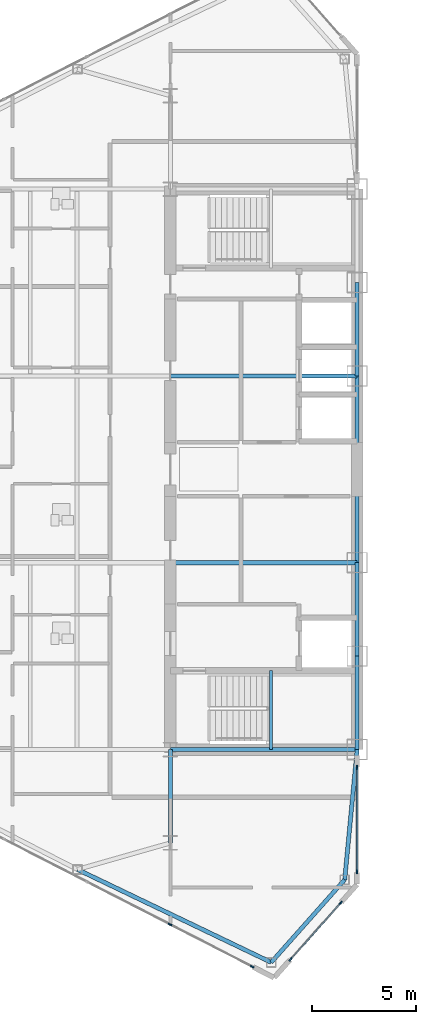
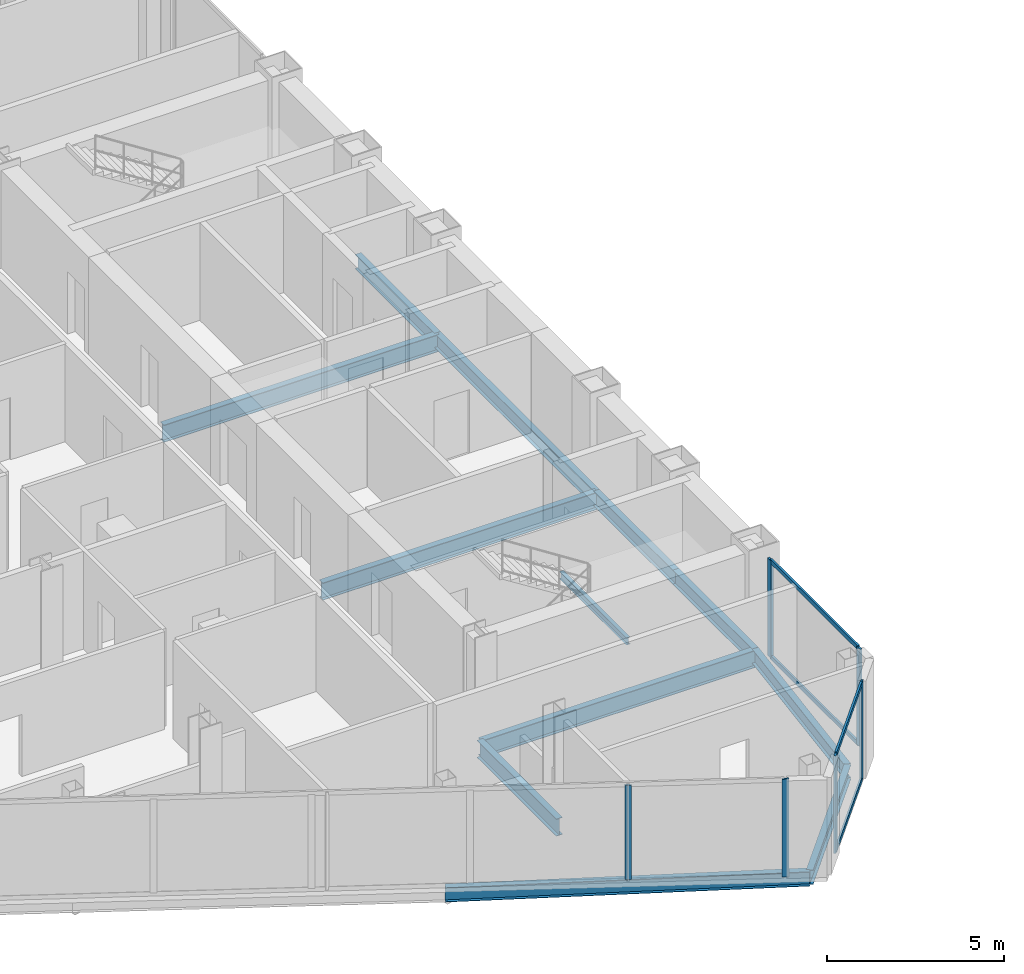
# One storey, part 5 of 23: 12 beams, 10 members, 3 elements without a shape of their own.
"""IFC4 building model written with IfcOpenShell, lengths in metres."""

from ifc_helpers import new_model, si_unit, direction, frame, origin, origin_2d, place, context, subcontext, project, spatial, rectangle, i_section, extrude, source, transform, mapped, material, layer, layer_set, material_profile, profile_set, type_object, type_shapes, element, aggregate, save


model = new_model("IFC4")

# Units and contexts
model_context = context("Model", 3, precision=1e-05, world=origin(), true_north=direction((0.0, 1.0)))
body_context = subcontext(model_context, "Body", "Model", "MODEL_VIEW")
ifc_project = project(units=[si_unit("LENGTHUNIT", "METRE"), si_unit("AREAUNIT", "SQUARE_METRE"), si_unit("VOLUMEUNIT", "CUBIC_METRE"), si_unit("PLANEANGLEUNIT", "RADIAN"), si_unit("MASSUNIT", "GRAM", prefix="KILO")], contexts=[model_context])

# Site, building, storey
site_placement = place(None, origin())
site = spatial("IfcSite", under=ifc_project, at=site_placement, CompositionType="ELEMENT")
building_placement = place(site_placement, origin())
building = spatial("IfcBuilding", under=site, at=building_placement, Name="Seokmaru Belvedere", CompositionType="ELEMENT")
storey_placement = place(building_placement, frame((0.0, 0.0, 154.800048828125)))
storey = spatial("IfcBuildingStorey", under=building, at=storey_placement, Name="L41", CompositionType="ELEMENT", Elevation=154.800048828125)

# Beams
ifc_material_1 = material(Name="Steel SM355 (355 MPa)", Category="steel")
ifc_material_profile_1 = material_profile(ifc_material_1, i_section(OverallWidth=0.199951171875, OverallDepth=0.5, WebThickness=0.010009765625, FlangeThickness=0.01611328125, at=origin_2d()), Name="H-500x200x10x16")
ifc_profile_set_1 = profile_set([ifc_material_profile_1], Name="Steel SM355 (355 MPa)")
beam_type_1 = type_object("IfcBeamType", Name="Perimeter Spandrel Beam H-500", PredefinedType="SPANDREL", material=ifc_profile_set_1)
shared_shape_1 = source(origin(), body_context, "Body", "SweptSolid", [
    extrude(i_section(OverallWidth=0.199951171875, OverallDepth=0.5, WebThickness=0.010009765625, FlangeThickness=0.01611328125, at=origin_2d()), origin(), (0.0, 0.0, 1.0), 4.5),
])
for number, where, z_axis, x_axis, name in (
    (1, (-27.5, -13.5, -0.469970703125), (0.0, 1.0, 0.0), (-1.0, 0.0, 0.0), "L41 W Portal Spine Spandrel 1"),
    (2, (-27.5, -9.0, -0.469970703125), (0.0, 1.0, 0.0), (-1.0, 0.0, 0.0), "L41 W Portal Spine Spandrel 2"),
    (3, (-27.5, 4.5, -0.469970703125), (0.0, 1.0, 0.0), (-1.0, 0.0, 0.0), "L41 W Portal Spine Spandrel 4"),
):
    element("IfcBeam", number, at=place(storey_placement, frame(where, z_axis=z_axis, x_axis=x_axis)), inside=storey, type_object=beam_type_1, Name=name, PredefinedType="SPANDREL", context=body_context, shape_type="MappedRepresentation", body=[
        mapped(shared_shape_1, transform((0.0, 0.0, 0.0), scale=1.0)),
    ])
shared_shape_2 = source(origin(), body_context, "Body", "SweptSolid", [
    extrude(i_section(OverallWidth=0.199951171875, OverallDepth=0.5, WebThickness=0.010009765625, FlangeThickness=0.01611328125, at=origin_2d()), origin(), (0.0, 0.0, 1.0), 9.0),
])
beam_1_placement = place(storey_placement, frame((-27.5, -4.5, -0.469970703125), z_axis=(0.0, 1.0, 0.0), x_axis=(-1.0, 0.0, 0.0)))
element("IfcBeam", 4, at=beam_1_placement, inside=storey, type_object=beam_type_1, Name="L41 W Portal Spine Spandrel 3", PredefinedType="SPANDREL", context=body_context, shape_type="MappedRepresentation", body=[
    mapped(shared_shape_2, transform((0.0, 0.0, 0.0), scale=1.0)),
])
ifc_material_profile_2 = material_profile(ifc_material_1, i_section(OverallWidth=0.199951171875, OverallDepth=0.60009765625, WebThickness=0.010986328125, FlangeThickness=0.01708984375, at=origin_2d()), Name="H-600x200x11x17")
ifc_profile_set_2 = profile_set([ifc_material_profile_2], Name="Steel SM355 (355 MPa)")
beam_type_2 = type_object("IfcBeamType", Name="Primary Floor Girder H-600", PredefinedType="BEAM", material=ifc_profile_set_2)
shared_shape_3 = source(origin(), body_context, "Body", "SweptSolid", [
    extrude(i_section(OverallWidth=0.199951171875, OverallDepth=0.60009765625, WebThickness=0.010986328125, FlangeThickness=0.01708984375, at=origin_2d()), origin(), (0.0, 0.0, 1.0), 9.0),
])
for number, where, z_axis, x_axis, name in (
    (5, (-36.5, -13.5, -0.52001953125), (1.0, 0.0, 0.0), (0.0, 1.0, 0.0), "L41 W Core Tie Girder 1"),
    (6, (-36.5, -4.5, -0.52001953125), (1.0, 0.0, 0.0), (0.0, 1.0, 0.0), "L41 W Core Tie Girder 2"),
    (7, (-36.5, 4.5, -0.52001953125), (1.0, 0.0, 0.0), (0.0, 1.0, 0.0), "L41 W Core Tie Girder 3"),
):
    element("IfcBeam", number, at=place(storey_placement, frame(where, z_axis=z_axis, x_axis=x_axis)), inside=storey, type_object=beam_type_2, Name=name, PredefinedType="BEAM", context=body_context, shape_type="MappedRepresentation", body=[
        mapped(shared_shape_3, transform((0.0, 0.0, 0.0), scale=1.0)),
    ])
shared_shape_4 = source(origin(), body_context, "Body", "SweptSolid", [
    extrude(i_section(OverallWidth=0.199951171875, OverallDepth=0.60009765625, WebThickness=0.010986328125, FlangeThickness=0.01708984375, at=origin_2d()), origin(), (0.0, 0.0, 1.0), 4.5),
])
type_shapes(beam_type_2, [shared_shape_3, shared_shape_4])
beam_2_placement = place(storey_placement, frame((-36.5, -18.0, -0.52001953125), z_axis=(0.0, 1.0, 0.0), x_axis=(-1.0, 0.0, 0.0)))
element("IfcBeam", 8, at=beam_2_placement, inside=storey, type_object=beam_type_2, Name="L41 W Core Shoulder Girder S", PredefinedType="BEAM", context=body_context, shape_type="MappedRepresentation", body=[
    mapped(shared_shape_4, transform((0.0, 0.0, 0.0), scale=1.0)),
])
shared_shape_5 = source(origin(), body_context, "Body", "SweptSolid", [
    extrude(i_section(OverallWidth=0.199951171875, OverallDepth=0.5, WebThickness=0.010009765625, FlangeThickness=0.01611328125, at=origin_2d()), origin(), (0.0, 0.0, 1.0), 10.353759765625),
])
beam_3_placement = place(storey_placement, frame((-31.6396484375, -23.75390625, -0.469970703125), z_axis=(-0.901713202822, 0.432334708134, 0.0), x_axis=(-0.432334708134, -0.901713202822, 0.0)))
element("IfcBeam", 9, at=beam_3_placement, inside=storey, type_object=beam_type_1, Name="L41 W Faceted Flank Spandrel S-1", PredefinedType="SPANDREL", context=body_context, shape_type="MappedRepresentation", body=[
    mapped(shared_shape_5, transform((0.0, 0.0, 0.0), scale=1.0)),
])
shared_shape_6 = source(origin(), body_context, "Body", "SweptSolid", [
    extrude(i_section(OverallWidth=0.199951171875, OverallDepth=0.5, WebThickness=0.010009765625, FlangeThickness=0.01611328125, at=origin_2d()), origin(), (0.0, 0.0, 1.0), 5.32763671875),
])
beam_4_placement = place(storey_placement, frame((-31.6396484375, -23.75390625, -0.469970703125), z_axis=(0.66436952742, 0.74740426212, 0.0), x_axis=(-0.74740426212, 0.66436952742, 0.0)))
element("IfcBeam", 10, at=beam_4_placement, inside=storey, type_object=beam_type_1, Name="L41 W Shoulder Chamfer Spandrel S", PredefinedType="SPANDREL", context=body_context, shape_type="MappedRepresentation", body=[
    mapped(shared_shape_6, transform((0.0, 0.0, 0.0), scale=1.0)),
])
shared_shape_7 = source(origin(), body_context, "Body", "SweptSolid", [
    extrude(i_section(OverallWidth=0.199951171875, OverallDepth=0.5, WebThickness=0.010009765625, FlangeThickness=0.01611328125, at=origin_2d()), origin(), (0.0, 0.0, 1.0), 6.300537109375),
])
type_shapes(beam_type_1, [shared_shape_1, shared_shape_2, shared_shape_5, shared_shape_6, shared_shape_7])
beam_5_placement = place(storey_placement, frame((-28.10009765625, -19.77197265625, -0.469970703125), z_axis=(0.095244287992, 0.995453929424, 0.0), x_axis=(-0.995453929424, 0.095244287992, 0.0)))
element("IfcBeam", 11, at=beam_5_placement, inside=storey, type_object=beam_type_1, Name="L41 W Shoulder Spine Spandrel S", PredefinedType="SPANDREL", context=body_context, shape_type="MappedRepresentation", body=[
    mapped(shared_shape_7, transform((0.0, 0.0, 0.0), scale=1.0)),
])

# Curtain wall, members
ifc_material_2 = material(Name="Bronze Triple Insulating Glass", Category="glass")
ifc_layer = layer(ifc_material_2, 0.195068359375)
ifc_layer_set = layer_set([ifc_layer], Name="Bronze Triple Insulating Glass")
curtain_wall_type = type_object("IfcCurtainWallType", Name="Sky-Lobby and Mid-Rise Curtain Wall System CW-4", PredefinedType="NOTDEFINED", material=ifc_layer_set)
curtain_wall_1_placement = place(storey_placement, origin())
curtain_wall_1 = element("IfcCurtainWall", 12, at=curtain_wall_1_placement, inside=storey, type_object=curtain_wall_type, Name="L41 Curtain Wall WSP_1", PredefinedType="NOTDEFINED")
ifc_material_3 = material(Name="Anodised Bronze Aluminium", Category="aluminium")
ifc_material_profile_3 = material_profile(ifc_material_3, rectangle(XDim=0.070068359375, YDim=0.195068359375, at=origin_2d()), Name="CW-M-70x195")
ifc_profile_set_3 = profile_set([ifc_material_profile_3], Name="Anodised Bronze Aluminium")
member_type_1 = type_object("IfcMemberType", Name="Bronze Unitised Mullion 70x195", PredefinedType="MULLION", material=ifc_profile_set_3)
shared_shape_8 = source(origin(), body_context, "Body", "SweptSolid", [
    extrude(rectangle(XDim=0.070068359375, YDim=0.195068359375, at=origin_2d()), origin(), (0.0, 0.0, 1.0), 3.3798828125),
])
member_1_placement = place(storey_placement, frame((-27.5, -19.39501953125, 0.0), z_axis=(0.0, 0.0, 1.0), x_axis=(-1.0, 0.0, 0.0)))
member_1 = element("IfcMember", 13, at=member_1_placement, type_object=member_type_1, Name="CW:L41:WSP_1 Mullion 1", PredefinedType="MULLION", context=body_context, shape_type="MappedRepresentation", body=[
    mapped(shared_shape_8, transform((0.0, 0.0, 0.0), scale=1.0)),
])
member_2_placement = place(storey_placement, frame((-27.5, -14.364990234375, 0.0), z_axis=(0.0, 0.0, 1.0), x_axis=(-1.0, 0.0, 0.0)))
member_2 = element("IfcMember", 14, at=member_2_placement, type_object=member_type_1, Name="CW:L41:WSP_1 Mullion 2", PredefinedType="MULLION", context=body_context, shape_type="MappedRepresentation", body=[
    mapped(shared_shape_8, transform((0.0, 0.0, 0.0), scale=1.0)),
])

# Curtain wall, member
curtain_wall_2_placement = place(storey_placement, origin())
curtain_wall_2 = element("IfcCurtainWall", 15, at=curtain_wall_2_placement, inside=storey, type_object=curtain_wall_type, Name="L41 Curtain Wall WF5", PredefinedType="NOTDEFINED")
member_3_placement = place(storey_placement, frame((-32.55419921875, -23.958984375, 0.0), z_axis=(0.0, 0.0, 1.0), x_axis=(0.456554528263, 0.889695432562, 0.0)))
member_3 = element("IfcMember", 16, at=member_3_placement, type_object=member_type_1, Name="CW:L41:WF5 Mullion 10", PredefinedType="MULLION", context=body_context, shape_type="MappedRepresentation", body=[
    mapped(shared_shape_8, transform((0.0, 0.0, 0.0), scale=1.0)),
])

# Curtain wall, members
curtain_wall_3_placement = place(storey_placement, origin())
curtain_wall_3 = element("IfcCurtainWall", 17, at=curtain_wall_3_placement, inside=storey, type_object=curtain_wall_type, Name="L41 Curtain Wall WF6", PredefinedType="NOTDEFINED")
member_4_placement = place(storey_placement, frame((-30.712646484375, -23.6142578125, 0.0), z_axis=(0.0, 0.0, 1.0), x_axis=(-0.747409774804, 0.664363325694, 0.0)))
member_4 = element("IfcMember", 18, at=member_4_placement, type_object=member_type_1, Name="CW:L41:WF6 Mullion 1", PredefinedType="MULLION", context=body_context, shape_type="MappedRepresentation", body=[
    mapped(shared_shape_8, transform((0.0, 0.0, 0.0), scale=1.0)),
])
member_5_placement = place(storey_placement, frame((-28.287353515625, -20.8857421875, 0.0), z_axis=(0.0, 0.0, 1.0), x_axis=(-0.747409774804, 0.664363325694, 0.0)))
member_5 = element("IfcMember", 19, at=member_5_placement, type_object=member_type_1, Name="CW:L41:WF6 Mullion 2", PredefinedType="MULLION", context=body_context, shape_type="MappedRepresentation", body=[
    mapped(shared_shape_8, transform((0.0, 0.0, 0.0), scale=1.0)),
])
ifc_material_profile_4 = material_profile(ifc_material_3, rectangle(XDim=0.06494140625, YDim=0.14990234375, at=origin_2d()), Name="CW-T-65x150")
ifc_profile_set_4 = profile_set([ifc_material_profile_4], Name="Anodised Bronze Aluminium")
member_type_2 = type_object("IfcMemberType", Name="Bronze Unitised Transom 65x150", PredefinedType="USERDEFINED", material=ifc_profile_set_4)
shared_shape_9 = source(origin(), body_context, "Body", "SweptSolid", [
    extrude(rectangle(XDim=0.06494140625, YDim=0.14990234375, at=origin_2d()), origin(), (0.0, 0.0, 1.0), 3.580810546875),
])
member_6_placement = place(storey_placement, frame((-30.689453125, -23.588134765625, 0.032470703125), z_axis=(0.66436383883, 0.747409318684, 0.0), x_axis=(-0.747409318684, 0.66436383883, 0.0)))
member_6 = element("IfcMember", 20, at=member_6_placement, type_object=member_type_2, Name="CW:L41:WF6 Continuous Transom 1", ObjectType="TRANSOM", PredefinedType="USERDEFINED", context=body_context, shape_type="MappedRepresentation", body=[
    mapped(shared_shape_9, transform((0.0, 0.0, 0.0), scale=1.0)),
])
member_7_placement = place(storey_placement, frame((-30.689453125, -23.588134765625, 3.347412109375), z_axis=(0.66436383883, 0.747409318684, 0.0), x_axis=(-0.747409318684, 0.66436383883, 0.0)))
member_7 = element("IfcMember", 21, at=member_7_placement, type_object=member_type_2, Name="CW:L41:WF6 Continuous Transom 2", ObjectType="TRANSOM", PredefinedType="USERDEFINED", context=body_context, shape_type="MappedRepresentation", body=[
    mapped(shared_shape_9, transform((0.0, 0.0, 0.0), scale=1.0)),
])
aggregate(curtain_wall_3, [member_4, member_5, member_6, member_7])

# Member
shared_shape_10 = source(origin(), body_context, "Body", "SweptSolid", [
    extrude(rectangle(XDim=0.070068359375, YDim=0.195068359375, at=origin_2d()), origin(), (0.0, 0.0, 1.0), 3.25),
])
type_shapes(member_type_1, [shared_shape_8, shared_shape_10])
member_8_placement = place(storey_placement, frame((-36.51806640625, -21.925048828125, 0.06494140625), z_axis=(0.0, 0.0, 1.0), x_axis=(0.456554528263, 0.889695432562, 0.0)))
member_8 = element("IfcMember", 22, at=member_8_placement, type_object=member_type_1, Name="CW:L41:WF5 Mullion 9", PredefinedType="MULLION", context=body_context, shape_type="MappedRepresentation", body=[
    mapped(shared_shape_10, transform((0.0, 0.0, 0.0), scale=1.0)),
])

aggregate(curtain_wall_2, [member_8, member_3])

shared_shape_11 = source(origin(), body_context, "Body", "SweptSolid", [
    extrude(rectangle(XDim=0.06494140625, YDim=0.14990234375, at=origin_2d()), origin(), (0.0, 0.0, 1.0), 4.960205078125),
])
type_shapes(member_type_2, [shared_shape_9, shared_shape_11])
member_9_placement = place(storey_placement, frame((-27.5, -19.360107421875, 0.032470703125), z_axis=(0.0, 1.0, 0.0), x_axis=(-1.0, 0.0, 0.0)))
member_9 = element("IfcMember", 23, at=member_9_placement, type_object=member_type_2, Name="CW:L41:WSP_1 Continuous Transom 1", ObjectType="TRANSOM", PredefinedType="USERDEFINED", context=body_context, shape_type="MappedRepresentation", body=[
    mapped(shared_shape_11, transform((0.0, 0.0, 0.0), scale=1.0)),
])

member_10_placement = place(storey_placement, frame((-27.5, -19.360107421875, 3.347412109375), z_axis=(0.0, 1.0, 0.0), x_axis=(-1.0, 0.0, 0.0)))
member_10 = element("IfcMember", 24, at=member_10_placement, type_object=member_type_2, Name="CW:L41:WSP_1 Continuous Transom 2", ObjectType="TRANSOM", PredefinedType="USERDEFINED", context=body_context, shape_type="MappedRepresentation", body=[
    mapped(shared_shape_11, transform((0.0, 0.0, 0.0), scale=1.0)),
])

aggregate(curtain_wall_1, [member_1, member_2, member_9, member_10])

# Beam
ifc_material_profile_5 = material_profile(ifc_material_1, i_section(OverallWidth=0.125, OverallDepth=0.25, WebThickness=0.006103515625, FlangeThickness=0.009033203125, at=origin_2d()), Name="H-250x125x6x9")
ifc_profile_set_5 = profile_set([ifc_material_profile_5], Name="Steel SM355 (355 MPa)")
beam_type_3 = type_object("IfcBeamType", Name="Stair Mid-Landing Support Beam H-250", PredefinedType="JOIST", material=ifc_profile_set_5)
shared_shape_12 = source(origin(), body_context, "Body", "SweptSolid", [
    extrude(i_section(OverallWidth=0.125, OverallDepth=0.25, WebThickness=0.006103515625, FlangeThickness=0.009033203125, at=origin_2d()), origin(), (0.0, 0.0, 1.0), 3.800048828125),
])
type_shapes(beam_type_3, [shared_shape_12])
beam_6_placement = place(storey_placement, frame((-31.64990234375, -13.5, 1.474853515625), z_axis=(0.0, 1.0, 0.0), x_axis=(-1.0, 0.0, 0.0)))
element("IfcBeam", 25, at=beam_6_placement, inside=storey, type_object=beam_type_3, Name="L41 Stair ST-W1 Mid-Landing Support Beam 1", PredefinedType="JOIST", context=body_context, shape_type="MappedRepresentation", body=[
    mapped(shared_shape_12, transform((0.0, 0.0, 0.0), scale=1.0)),
])

save(model, "model.ifc")
